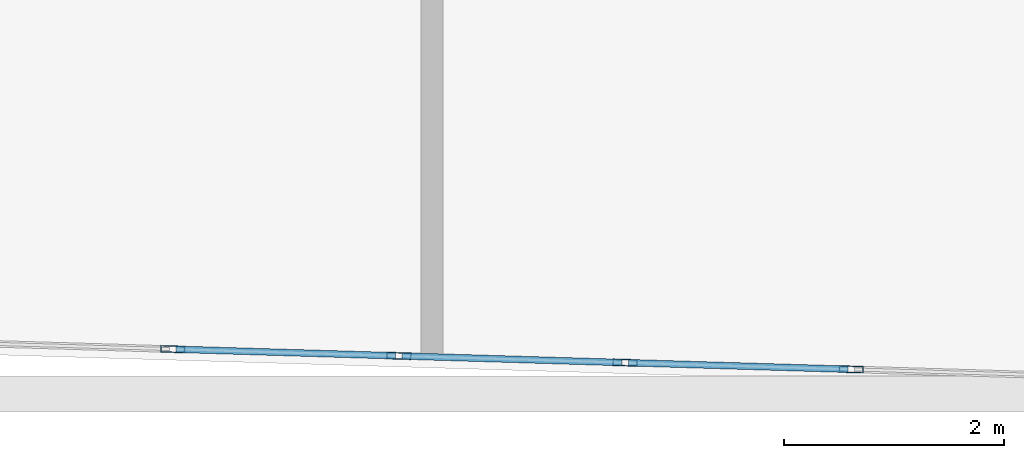
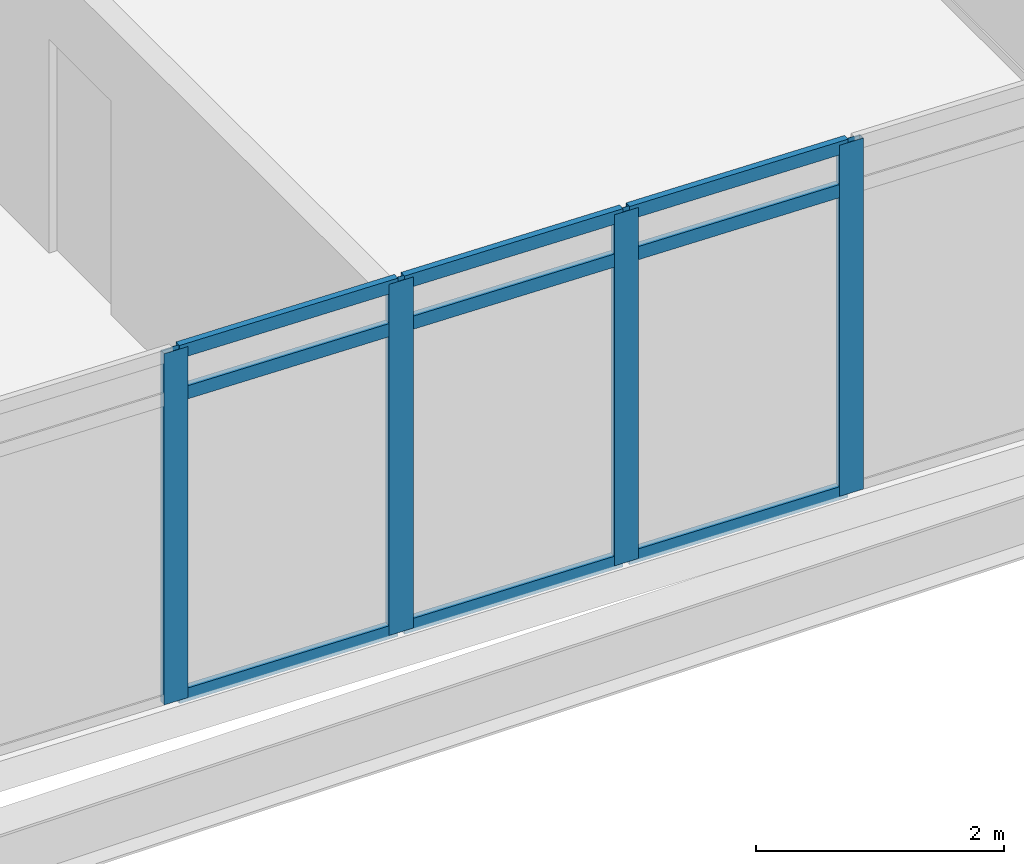
# One storey, part 7 of 28: 13 members, 1 element without a shape of its own.
"""IFC4 building model written with IfcOpenShell, lengths in metres."""

from ifc_helpers import new_model, si_unit, direction, frame, origin, origin_2d, place, context, subcontext, project, spatial, hollow_rectangle, extrude, material, material_profile, profile_set, type_object, element, aggregate, save


model = new_model("IFC4")

# Units and contexts
model_context = context("Model", 3, precision=1e-05, world=origin(), true_north=direction((0.0, 1.0)))
body_context = subcontext(model_context, "Body", "Model", "MODEL_VIEW")
ifc_project = project(units=[si_unit("LENGTHUNIT", "METRE"), si_unit("AREAUNIT", "SQUARE_METRE"), si_unit("VOLUMEUNIT", "CUBIC_METRE"), si_unit("PLANEANGLEUNIT", "RADIAN"), si_unit("MASSUNIT", "GRAM", prefix="KILO")], contexts=[model_context])

# Site, building, storey
site_placement = place(None, origin())
site = spatial("IfcSite", under=ifc_project, at=site_placement, CompositionType="ELEMENT")
building_placement = place(site_placement, origin())
building = spatial("IfcBuilding", under=site, at=building_placement, Name="Ostrander Bayou Hotel Tower", CompositionType="ELEMENT")
storey_placement = place(building_placement, frame((0.0, 0.0, 100.5)))
storey = spatial("IfcBuildingStorey", under=building, at=storey_placement, Name="L25", CompositionType="ELEMENT", Elevation=100.5)

# Curtain wall, members
ifc_material_1 = material(Name="Aluminium and clear glass", Category="aluminium")
curtain_wall_type = type_object("IfcCurtainWallType", Name="CW-BAR glazed wall", PredefinedType="NOTDEFINED", material=ifc_material_1)
curtain_wall_placement = place(storey_placement, origin())
curtain_wall = element("IfcCurtainWall", 1, at=curtain_wall_placement, inside=storey, type_object=curtain_wall_type, Name="CW-BAR L25:SB2S:T", PredefinedType="NOTDEFINED")
ifc_material_2 = material(Name="Aluminium", Category="aluminium")
ifc_material_profile_1 = material_profile(ifc_material_2, hollow_rectangle(XDim=0.06005859375, YDim=0.219970703125, WallThickness=0.00390625, at=origin_2d()))
ifc_profile_set_1 = profile_set([ifc_material_profile_1], Name="Aluminium")
member_type_1 = type_object("IfcMemberType", Name="CW-BR mullion 60 x 220 mm", PredefinedType="MULLION", material=ifc_profile_set_1)
member_1_placement = place(storey_placement, frame((3.084716796875, -31.791748046875, 0.0), z_axis=(0.0, 0.0, 1.0), x_axis=(0.029746242041, 0.999557482631, 0.0)))
member_1 = element("IfcMember", 2, at=member_1_placement, type_object=member_type_1, Name="CW-BAR mullion 9", PredefinedType="MULLION", context=body_context, shape_type="SweptSolid", body=[
    extrude(hollow_rectangle(XDim=0.06005859375, YDim=0.219970703125, WallThickness=0.00390625, at=origin_2d()), origin(), (0.0, 0.0, 1.0), 3.449951171875),
])
member_2_placement = place(storey_placement, frame((5.14111328125, -31.85302734375, 0.0), z_axis=(0.0, 0.0, 1.0), x_axis=(0.029746242041, 0.999557482631, 0.0)))
member_2 = element("IfcMember", 3, at=member_2_placement, type_object=member_type_1, Name="CW-BAR mullion 10", PredefinedType="MULLION", context=body_context, shape_type="SweptSolid", body=[
    extrude(hollow_rectangle(XDim=0.06005859375, YDim=0.219970703125, WallThickness=0.00390625, at=origin_2d()), origin(), (0.0, 0.0, 1.0), 3.449951171875),
])
member_3_placement = place(storey_placement, frame((7.19775390625, -31.914306640625, 0.0), z_axis=(0.0, 0.0, 1.0), x_axis=(0.029746242041, 0.999557482631, 0.0)))
member_3 = element("IfcMember", 4, at=member_3_placement, type_object=member_type_1, Name="CW-BAR mullion 11", PredefinedType="MULLION", context=body_context, shape_type="SweptSolid", body=[
    extrude(hollow_rectangle(XDim=0.06005859375, YDim=0.219970703125, WallThickness=0.00390625, at=origin_2d()), origin(), (0.0, 0.0, 1.0), 3.449951171875),
])
member_4_placement = place(storey_placement, frame((9.254150390625, -31.975341796875, 0.0), z_axis=(0.0, 0.0, 1.0), x_axis=(0.029746242041, 0.999557482631, 0.0)))
member_4 = element("IfcMember", 5, at=member_4_placement, type_object=member_type_1, Name="CW-BAR mullion 12", PredefinedType="MULLION", context=body_context, shape_type="SweptSolid", body=[
    extrude(hollow_rectangle(XDim=0.06005859375, YDim=0.219970703125, WallThickness=0.00390625, at=origin_2d()), origin(), (0.0, 0.0, 1.0), 3.449951171875),
])
ifc_material_3 = material(Name="Aluminium", Category="aluminium")
ifc_material_profile_2 = material_profile(ifc_material_3, hollow_rectangle(XDim=0.06005859375, YDim=0.1298828125, WallThickness=0.00390625, at=origin_2d()))
ifc_profile_set_2 = profile_set([ifc_material_profile_2], Name="Aluminium")
member_type_2 = type_object("IfcMemberType", Name="CW-BR transom 60 x 130 mm", PredefinedType="USERDEFINED", material=ifc_profile_set_2)
member_5_placement = place(storey_placement, frame((3.11474609375, -31.792724609375, 0.030029296875), z_axis=(0.999558835181, -0.029700757758, 0.0), x_axis=(0.029700757758, 0.999558835181, 0.0)))
member_5 = element("IfcMember", 6, at=member_5_placement, type_object=member_type_2, Name="CW-BAR transom 9.1", ObjectType="TRANSOM", PredefinedType="USERDEFINED", context=body_context, shape_type="SweptSolid", body=[
    extrude(hollow_rectangle(XDim=0.06005859375, YDim=0.1298828125, WallThickness=0.00390625, at=origin_2d()), origin(), (0.0, 0.0, 1.0), 1.99755859375),
])
member_6_placement = place(storey_placement, frame((3.11474609375, -31.792724609375, 3.0), z_axis=(0.999558835181, -0.029700757758, 0.0), x_axis=(0.029700757758, 0.999558835181, 0.0)))
member_6 = element("IfcMember", 7, at=member_6_placement, type_object=member_type_2, Name="CW-BAR transom 9.2", ObjectType="TRANSOM", PredefinedType="USERDEFINED", context=body_context, shape_type="SweptSolid", body=[
    extrude(hollow_rectangle(XDim=0.06005859375, YDim=0.1298828125, WallThickness=0.00390625, at=origin_2d()), origin(), (0.0, 0.0, 1.0), 1.99755859375),
])
member_7_placement = place(storey_placement, frame((3.11474609375, -31.792724609375, 3.419921875), z_axis=(0.999558835181, -0.029700757758, 0.0), x_axis=(0.029700757758, 0.999558835181, 0.0)))
member_7 = element("IfcMember", 8, at=member_7_placement, type_object=member_type_2, Name="CW-BAR transom 9.3", ObjectType="TRANSOM", PredefinedType="USERDEFINED", context=body_context, shape_type="SweptSolid", body=[
    extrude(hollow_rectangle(XDim=0.06005859375, YDim=0.1298828125, WallThickness=0.00390625, at=origin_2d()), origin(), (0.0, 0.0, 1.0), 1.99755859375),
])
member_8_placement = place(storey_placement, frame((5.171142578125, -31.85400390625, 0.030029296875), z_axis=(0.999558835181, -0.029700757758, 0.0), x_axis=(0.029700757758, 0.999558835181, 0.0)))
member_8 = element("IfcMember", 9, at=member_8_placement, type_object=member_type_2, Name="CW-BAR transom 10.1", ObjectType="TRANSOM", PredefinedType="USERDEFINED", context=body_context, shape_type="SweptSolid", body=[
    extrude(hollow_rectangle(XDim=0.06005859375, YDim=0.1298828125, WallThickness=0.00390625, at=origin_2d()), origin(), (0.0, 0.0, 1.0), 1.99755859375),
])
member_9_placement = place(storey_placement, frame((5.171142578125, -31.85400390625, 3.0), z_axis=(0.999558835181, -0.029700757758, 0.0), x_axis=(0.029700757758, 0.999558835181, 0.0)))
member_9 = element("IfcMember", 10, at=member_9_placement, type_object=member_type_2, Name="CW-BAR transom 10.2", ObjectType="TRANSOM", PredefinedType="USERDEFINED", context=body_context, shape_type="SweptSolid", body=[
    extrude(hollow_rectangle(XDim=0.06005859375, YDim=0.1298828125, WallThickness=0.00390625, at=origin_2d()), origin(), (0.0, 0.0, 1.0), 1.99755859375),
])
member_10_placement = place(storey_placement, frame((5.171142578125, -31.85400390625, 3.419921875), z_axis=(0.999558835181, -0.029700757758, 0.0), x_axis=(0.029700757758, 0.999558835181, 0.0)))
member_10 = element("IfcMember", 11, at=member_10_placement, type_object=member_type_2, Name="CW-BAR transom 10.3", ObjectType="TRANSOM", PredefinedType="USERDEFINED", context=body_context, shape_type="SweptSolid", body=[
    extrude(hollow_rectangle(XDim=0.06005859375, YDim=0.1298828125, WallThickness=0.00390625, at=origin_2d()), origin(), (0.0, 0.0, 1.0), 1.99755859375),
])
member_11_placement = place(storey_placement, frame((7.227783203125, -31.9150390625, 0.030029296875), z_axis=(0.999555090424, -0.029826518535, 0.0), x_axis=(0.029826518535, 0.999555090424, 0.0)))
member_11 = element("IfcMember", 12, at=member_11_placement, type_object=member_type_2, Name="CW-BAR transom 11.1", ObjectType="TRANSOM", PredefinedType="USERDEFINED", context=body_context, shape_type="SweptSolid", body=[
    extrude(hollow_rectangle(XDim=0.06005859375, YDim=0.1298828125, WallThickness=0.00390625, at=origin_2d()), origin(), (0.0, 0.0, 1.0), 1.997314453125),
])
member_12_placement = place(storey_placement, frame((7.227783203125, -31.9150390625, 3.0), z_axis=(0.999555090424, -0.029826518535, 0.0), x_axis=(0.029826518535, 0.999555090424, 0.0)))
member_12 = element("IfcMember", 13, at=member_12_placement, type_object=member_type_2, Name="CW-BAR transom 11.2", ObjectType="TRANSOM", PredefinedType="USERDEFINED", context=body_context, shape_type="SweptSolid", body=[
    extrude(hollow_rectangle(XDim=0.06005859375, YDim=0.1298828125, WallThickness=0.00390625, at=origin_2d()), origin(), (0.0, 0.0, 1.0), 1.997314453125),
])
member_13_placement = place(storey_placement, frame((7.227783203125, -31.9150390625, 3.419921875), z_axis=(0.999555090424, -0.029826518535, 0.0), x_axis=(0.029826518535, 0.999555090424, 0.0)))
member_13 = element("IfcMember", 14, at=member_13_placement, type_object=member_type_2, Name="CW-BAR transom 11.3", ObjectType="TRANSOM", PredefinedType="USERDEFINED", context=body_context, shape_type="SweptSolid", body=[
    extrude(hollow_rectangle(XDim=0.06005859375, YDim=0.1298828125, WallThickness=0.00390625, at=origin_2d()), origin(), (0.0, 0.0, 1.0), 1.997314453125),
])
aggregate(curtain_wall, [member_1, member_2, member_3, member_4, member_5, member_6, member_7, member_8, member_9, member_10, member_11, member_12, member_13])

save(model, "model.ifc")
